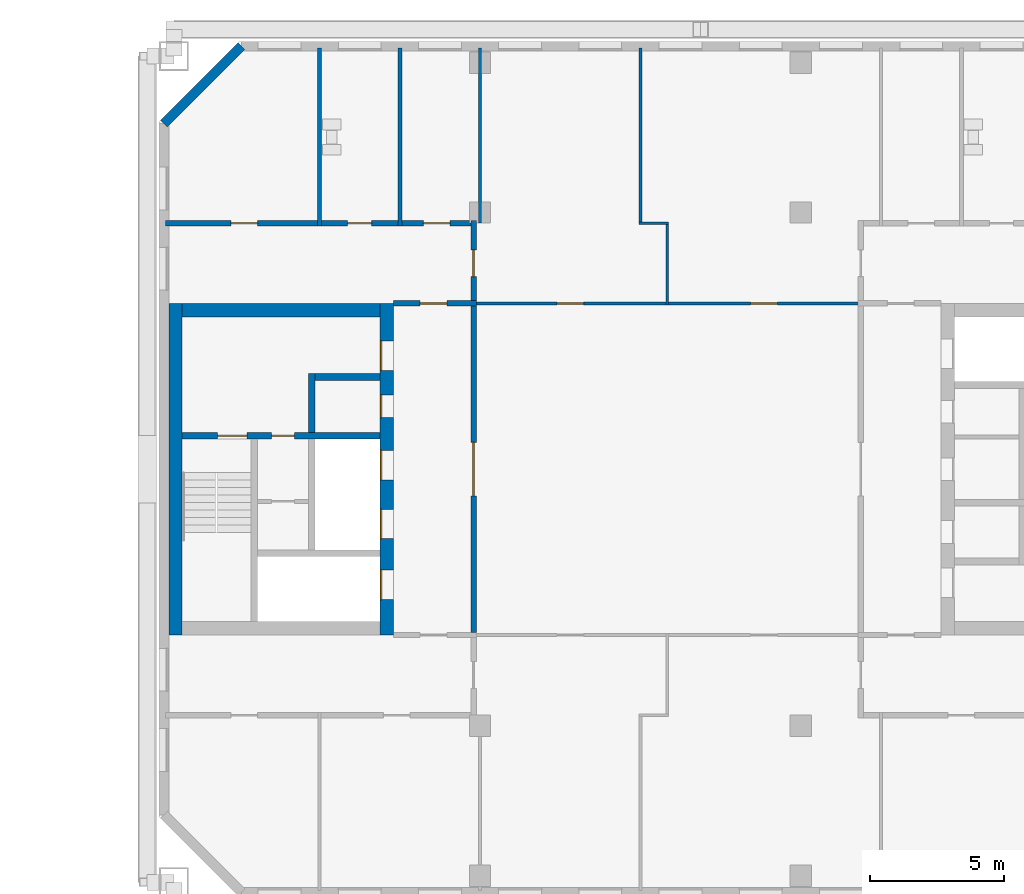
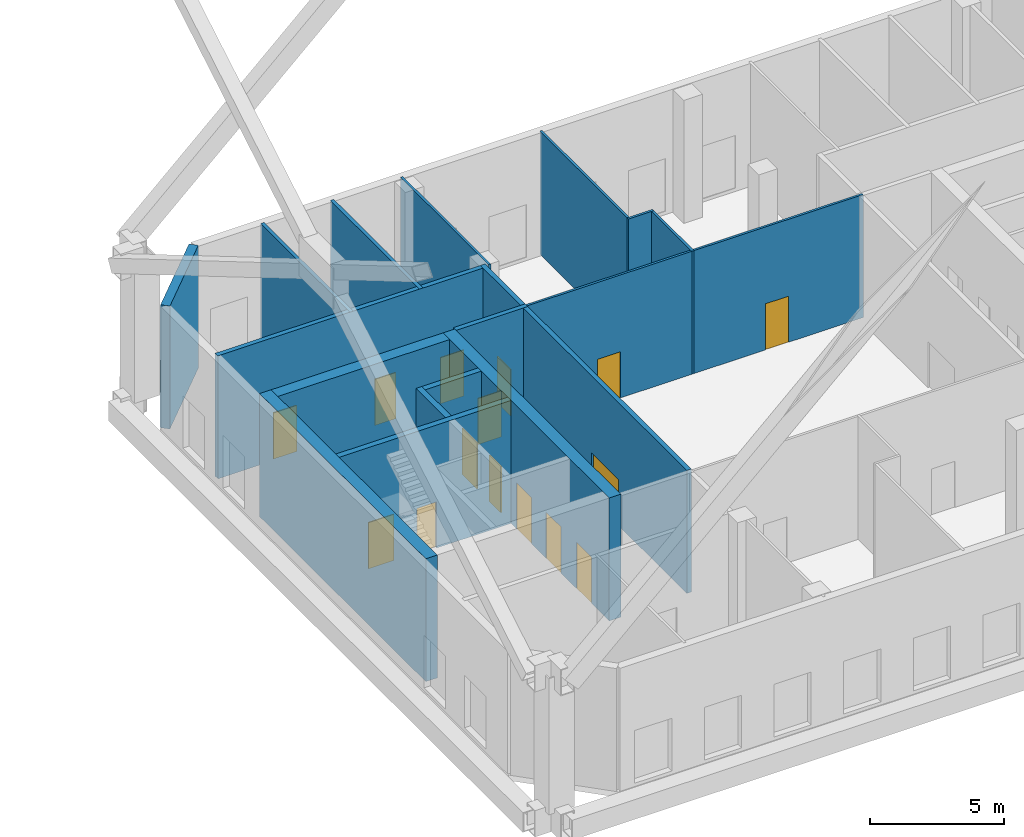
# One storey, part 14 of 20: 18 walls, 15 doors, 15 openings.
"""IFC4 building model written with IfcOpenShell, lengths in metres."""

from ifc_helpers import new_model, si_unit, direction, frame, frame_2d, origin, place, context, subcontext, project, spatial, rectangle, extrude, material, layer, layer_set, type_object, element, fill, save


model = new_model("IFC4")

# Units and contexts
model_context = context("Model", 3, precision=1e-05, world=origin(), true_north=direction((0.0, 1.0)))
body_context = subcontext(model_context, "Body", "Model", "MODEL_VIEW")
ifc_project = project(units=[si_unit("LENGTHUNIT", "METRE"), si_unit("AREAUNIT", "SQUARE_METRE"), si_unit("VOLUMEUNIT", "CUBIC_METRE"), si_unit("PLANEANGLEUNIT", "RADIAN"), si_unit("MASSUNIT", "GRAM", prefix="KILO")], contexts=[model_context])

# Site, building, storey
site_placement = place(None, origin())
site = spatial("IfcSite", under=ifc_project, at=site_placement, CompositionType="ELEMENT")
building_placement = place(site_placement, origin())
building = spatial("IfcBuilding", under=site, at=building_placement, Name="Tuart Gate Housing", CompositionType="ELEMENT")
storey_placement = place(building_placement, frame((0.0, 0.0, 142.300048828125)))
storey = spatial("IfcBuildingStorey", under=building, at=storey_placement, Name="L40", CompositionType="ELEMENT", Elevation=142.300048828125)

# Walls
ifc_material_1 = material(Name="Gypsum board on steel studs", Category="steel")
ifc_layer_1 = layer(ifc_material_1, 0.14990234375)
ifc_layer_set_1 = layer_set([ifc_layer_1], Name="Bathroom wall 150")
wall_type_1 = type_object("IfcWallType", Name="Bathroom wall 150", PredefinedType="PLUMBINGWALL", material=ifc_layer_set_1)
for number, where, z_axis, x_axis, name in (
    (1, (137.0, 79.10009765625, 0.0), (0.0, 0.0, 1.0), (0.0, 1.0, 0.0), "Bathroom wall 150"),
    (2, (140.0, 79.10009765625, 0.0), (0.0, 0.0, 1.0), (0.0, 1.0, 0.0), "Bathroom wall 150"),
):
    element("IfcWall", number, at=place(storey_placement, frame(where, z_axis=z_axis, x_axis=x_axis)), inside=storey, type_object=wall_type_1, Name=name, PredefinedType="PLUMBINGWALL", context=body_context, shape_type="SweptSolid", body=[
        extrude(rectangle(XDim=6.659912109375, YDim=0.14990234375, at=frame_2d((3.330078125, 0.0))), origin(), (0.0, 0.0, 1.0), 5.599853515625),
    ])
ifc_material_2 = material(Name="Brick", Category="masonry")
ifc_layer_2 = layer(ifc_material_2, 0.360107421875)
ifc_layer_set_2 = layer_set([ifc_layer_2], Name="Brick pier and spandrel wall 360")
wall_type_2 = type_object("IfcWallType", Name="Brick pier and spandrel wall 360", PredefinedType="STANDARD", material=ifc_layer_set_2)
wall_1_placement = place(storey_placement, frame((134.07470703125, 85.820068359375, 0.0), z_axis=(0.0, 0.0, 1.0), x_axis=(-0.707106781187, -0.707106781187, 0.0)))
element("IfcWall", 3, at=wall_1_placement, inside=storey, type_object=wall_type_2, Name="External wall B-NW L40", PredefinedType="STANDARD", context=body_context, shape_type="SweptSolid", body=[
    extrude(rectangle(XDim=4.09375, YDim=0.360107421875, at=frame_2d((2.046875, 0.0))), origin(), (0.0, 0.0, 1.0), 5.599853515625),
])

# Wall, openings, doors
ifc_material_3 = material(Name="Concrete C40", Category="concrete")
ifc_layer_3 = layer(ifc_material_3, 0.25)
ifc_layer_set_3 = layer_set([ifc_layer_3], Name="Core wall 250 C40")
wall_type_3 = type_object("IfcWallType", Name="Core wall 250 C40", PredefinedType="SHEAR", material=ifc_layer_set_3)
wall_2_placement = place(storey_placement, frame((139.260009765625, 71.25, 0.0), z_axis=(0.0, 0.0, 1.0), x_axis=(-1.0, 0.0, 0.0)))
wall_2 = element("IfcWall", 4, at=wall_2_placement, inside=storey, type_object=wall_type_3, Name="Core wall BG.3", PredefinedType="SHEAR", context=body_context, shape_type="SweptSolid", body=[
    extrude(rectangle(XDim=7.39990234375, YDim=0.25, at=frame_2d((3.699951171875, 0.0))), origin(), (0.0, 0.0, 1.0), 5.599853515625),
])
opening_1_placement = place(wall_2_placement, frame((4.97509765625, 0.0, 0.0)))
opening_1 = element("IfcOpeningElement", 5, at=opening_1_placement, cuts=wall_2, Name="Opening D2978", PredefinedType="OPENING", context=body_context, shape_type="SweptSolid", body=[
    extrude(rectangle(XDim=1.10009765625, YDim=2.10009765625, at=frame_2d((0.550048828125, 1.050048828125))), frame((0.0, 0.135009765625, 0.0), z_axis=(0.0, -1.0, 0.0), x_axis=(1.0, 0.0, 0.0)), (0.0, 0.0, 1.0), 0.27001953125),
])
opening_2_placement = place(wall_2_placement, frame((3.199951171875, 0.0, 0.0)))
opening_2 = element("IfcOpeningElement", 6, at=opening_2_placement, cuts=wall_2, Name="Opening D2977", PredefinedType="OPENING", context=body_context, shape_type="SweptSolid", body=[
    extrude(rectangle(XDim=0.85009765625, YDim=2.10009765625, at=frame_2d((0.425048828125, 1.050048828125))), frame((0.0, 0.135009765625, 0.0), z_axis=(0.0, -1.0, 0.0), x_axis=(1.0, 0.0, 0.0)), (0.0, 0.0, 1.0), 0.27001953125),
])
ifc_material_4 = material(Name="Steel fire door", Category="steel")
door_type_1 = type_object("IfcDoorType", Name="Riser door 850 x 2100", OperationType="SINGLE_SWING_LEFT", PredefinedType="DOOR", material=ifc_material_4)
door_1_placement = place(opening_2_placement, origin())
door_1 = element("IfcDoor", 7, at=door_1_placement, inside=storey, type_object=door_type_1, Name="Service room door BG.W1", OperationType="SINGLE_SWING_LEFT", OverallHeight=2.10009765625, OverallWidth=0.85009765625, PredefinedType="DOOR", context=body_context, shape_type="SweptSolid", body=[
    extrude(rectangle(XDim=0.85009765625, YDim=2.10009765625, at=frame_2d((0.425048828125, 1.050048828125))), frame((0.0, 0.02490234375, 0.0), z_axis=(0.0, -1.0, 0.0), x_axis=(1.0, 0.0, 0.0)), (0.0, 0.0, 1.0), 0.050048828125),
])
fill(opening_2, door_1)
ifc_material_5 = material(Name="Steel fire door", Category="steel")
door_type_2 = type_object("IfcDoorType", Name="Stair door 1100 x 2100", OperationType="SINGLE_SWING_LEFT", PredefinedType="DOOR", material=ifc_material_5)
door_2_placement = place(opening_1_placement, origin())
door_2 = element("IfcDoor", 8, at=door_2_placement, inside=storey, type_object=door_type_2, Name="Stair door BG.SD", OperationType="SINGLE_SWING_LEFT", OverallHeight=2.10009765625, OverallWidth=1.10009765625, PredefinedType="DOOR", context=body_context, shape_type="SweptSolid", body=[
    extrude(rectangle(XDim=1.10009765625, YDim=2.10009765625, at=frame_2d((0.550048828125, 1.050048828125))), frame((0.0, 0.02490234375, 0.0), z_axis=(0.0, -1.0, 0.0), x_axis=(1.0, 0.0, 0.0)), (0.0, 0.0, 1.0), 0.050048828125),
])
fill(opening_1, door_2)

# Walls
wall_3_placement = place(storey_placement, frame((139.260009765625, 73.449951171875, 0.0), z_axis=(0.0, 0.0, 1.0), x_axis=(-1.0, 0.0, 0.0)))
element("IfcWall", 9, at=wall_3_placement, inside=storey, type_object=wall_type_3, Name="Core wall BG.4", PredefinedType="SHEAR", context=body_context, shape_type="SweptSolid", body=[
    extrude(rectangle(XDim=2.425048828125, YDim=0.25, at=frame_2d((1.21240234375, 0.0))), origin(), (0.0, 0.0, 1.0), 5.599853515625),
])
wall_4_placement = place(storey_placement, frame((136.7099609375, 71.375, 0.0), z_axis=(0.0, 0.0, 1.0), x_axis=(0.0, 1.0, 0.0)))
element("IfcWall", 10, at=wall_4_placement, inside=storey, type_object=wall_type_3, Name="Core wall BG.6", PredefinedType="SHEAR", context=body_context, shape_type="SweptSolid", body=[
    extrude(rectangle(XDim=2.199951171875, YDim=0.25, at=frame_2d((1.10009765625, 0.0))), origin(), (0.0, 0.0, 1.0), 5.599853515625),
])

# Wall, openings, doors
ifc_material_6 = material(Name="Concrete C40", Category="concrete")
ifc_layer_4 = layer(ifc_material_6, 0.5)
ifc_layer_set_4 = layer_set([ifc_layer_4], Name="Core wall 500 C40")
wall_type_4 = type_object("IfcWallType", Name="Core wall 500 C40", PredefinedType="SHEAR", material=ifc_layer_set_4)
wall_5_placement = place(storey_placement, frame((139.510009765625, 63.800048828125, 0.0), z_axis=(0.0, 0.0, 1.0), x_axis=(0.0, 1.0, 0.0)))
wall_5 = element("IfcWall", 11, at=wall_5_placement, inside=storey, type_object=wall_type_4, Name="Core wall BG front", PredefinedType="SHEAR", context=body_context, shape_type="SweptSolid", body=[
    extrude(rectangle(XDim=12.39990234375, YDim=0.5, at=frame_2d((6.199951171875, 0.0))), origin(), (0.0, 0.0, 1.0), 5.599853515625),
])
opening_3_placement = place(wall_5_placement, frame((1.324951171875, 0.0, 0.0)))
opening_3 = element("IfcOpeningElement", 12, at=opening_3_placement, cuts=wall_5, Name="Opening LD-FB1", PredefinedType="OPENING", context=body_context, shape_type="SweptSolid", body=[
    extrude(rectangle(XDim=1.10009765625, YDim=2.10009765625, at=frame_2d((0.550048828125, 1.050048828125))), frame((0.0, 0.260009765625, 0.0), z_axis=(0.0, -1.0, 0.0), x_axis=(1.0, 0.0, 0.0)), (0.0, 0.0, 1.0), 0.52001953125),
])
opening_4_placement = place(wall_5_placement, frame((3.60009765625, 0.0, 0.0)))
opening_4 = element("IfcOpeningElement", 13, at=opening_4_placement, cuts=wall_5, Name="Opening LD-LB1", PredefinedType="OPENING", context=body_context, shape_type="SweptSolid", body=[
    extrude(rectangle(XDim=1.10009765625, YDim=2.10009765625, at=frame_2d((0.550048828125, 1.050048828125))), frame((0.0, 0.260009765625, 0.0), z_axis=(0.0, -1.0, 0.0), x_axis=(1.0, 0.0, 0.0)), (0.0, 0.0, 1.0), 0.52001953125),
])
opening_5_placement = place(wall_5_placement, frame((5.800048828125, 0.0, 0.0)))
opening_5 = element("IfcOpeningElement", 14, at=opening_5_placement, cuts=wall_5, Name="Opening LD-LB2", PredefinedType="OPENING", context=body_context, shape_type="SweptSolid", body=[
    extrude(rectangle(XDim=1.10009765625, YDim=2.10009765625, at=frame_2d((0.550048828125, 1.050048828125))), frame((0.0, 0.260009765625, 0.0), z_axis=(0.0, -1.0, 0.0), x_axis=(1.0, 0.0, 0.0)), (0.0, 0.0, 1.0), 0.52001953125),
])
opening_6_placement = place(wall_5_placement, frame((9.89990234375, 0.0, 0.0)))
opening_6 = element("IfcOpeningElement", 15, at=opening_6_placement, cuts=wall_5, Name="Opening D2979", PredefinedType="OPENING", context=body_context, shape_type="SweptSolid", body=[
    extrude(rectangle(XDim=1.10009765625, YDim=2.10009765625, at=frame_2d((0.550048828125, 1.050048828125))), frame((0.0, 0.260009765625, 0.0), z_axis=(0.0, -1.0, 0.0), x_axis=(1.0, 0.0, 0.0)), (0.0, 0.0, 1.0), 0.52001953125),
])
opening_7_placement = place(wall_5_placement, frame((8.125, 0.0, 0.0)))
opening_7 = element("IfcOpeningElement", 16, at=opening_7_placement, cuts=wall_5, Name="Opening D2980", PredefinedType="OPENING", context=body_context, shape_type="SweptSolid", body=[
    extrude(rectangle(XDim=0.85009765625, YDim=2.10009765625, at=frame_2d((0.425048828125, 1.050048828125))), frame((0.0, 0.260009765625, 0.0), z_axis=(0.0, -1.0, 0.0), x_axis=(1.0, 0.0, 0.0)), (0.0, 0.0, 1.0), 0.52001953125),
])
ifc_material_7 = material(Name="Stainless steel", Category="steel")
door_type_3 = type_object("IfcDoorType", Name="Landing door 1100 x 2100", OperationType="DOUBLE_DOOR_SLIDING", PredefinedType="DOOR", material=ifc_material_7)
door_3_placement = place(opening_3_placement, origin())
door_3 = element("IfcDoor", 17, at=door_3_placement, inside=storey, type_object=door_type_3, Name="Lift landing door FB1", OperationType="DOUBLE_DOOR_SLIDING", OverallHeight=2.10009765625, OverallWidth=1.10009765625, PredefinedType="DOOR", context=body_context, shape_type="SweptSolid", body=[
    extrude(rectangle(XDim=1.10009765625, YDim=2.10009765625, at=frame_2d((0.550048828125, 1.050048828125))), frame((0.0, 0.23486328125, 0.0), z_axis=(0.0, -1.0, 0.0), x_axis=(1.0, 0.0, 0.0)), (0.0, 0.0, 1.0), 0.050048828125),
])
fill(opening_3, door_3)
door_4_placement = place(opening_4_placement, origin())
door_4 = element("IfcDoor", 18, at=door_4_placement, inside=storey, type_object=door_type_3, Name="Lift landing door LB1", OperationType="DOUBLE_DOOR_SLIDING", OverallHeight=2.10009765625, OverallWidth=1.10009765625, PredefinedType="DOOR", context=body_context, shape_type="SweptSolid", body=[
    extrude(rectangle(XDim=1.10009765625, YDim=2.10009765625, at=frame_2d((0.550048828125, 1.050048828125))), frame((0.0, 0.23486328125, 0.0), z_axis=(0.0, -1.0, 0.0), x_axis=(1.0, 0.0, 0.0)), (0.0, 0.0, 1.0), 0.050048828125),
])
fill(opening_4, door_4)
door_5_placement = place(opening_5_placement, origin())
door_5 = element("IfcDoor", 19, at=door_5_placement, inside=storey, type_object=door_type_3, Name="Lift landing door LB2", OperationType="DOUBLE_DOOR_SLIDING", OverallHeight=2.10009765625, OverallWidth=1.10009765625, PredefinedType="DOOR", context=body_context, shape_type="SweptSolid", body=[
    extrude(rectangle(XDim=1.10009765625, YDim=2.10009765625, at=frame_2d((0.550048828125, 1.050048828125))), frame((0.0, 0.23486328125, 0.0), z_axis=(0.0, -1.0, 0.0), x_axis=(1.0, 0.0, 0.0)), (0.0, 0.0, 1.0), 0.050048828125),
])
fill(opening_5, door_5)
ifc_material_8 = material(Name="Steel fire door", Category="steel")
door_type_4 = type_object("IfcDoorType", Name="Lobby door 1100 x 2100", OperationType="SINGLE_SWING_LEFT", PredefinedType="DOOR", material=ifc_material_8)
door_6_placement = place(opening_6_placement, origin())
door_6 = element("IfcDoor", 20, at=door_6_placement, inside=storey, type_object=door_type_4, Name="Lobby entry door BG.EN", OperationType="SINGLE_SWING_LEFT", OverallHeight=2.10009765625, OverallWidth=1.10009765625, PredefinedType="DOOR", context=body_context, shape_type="SweptSolid", body=[
    extrude(rectangle(XDim=1.10009765625, YDim=2.10009765625, at=frame_2d((0.550048828125, 1.050048828125))), frame((0.0, 0.23486328125, 0.0), z_axis=(0.0, -1.0, 0.0), x_axis=(1.0, 0.0, 0.0)), (0.0, 0.0, 1.0), 0.050048828125),
])
fill(opening_6, door_6)
ifc_material_9 = material(Name="Steel fire door", Category="steel")
door_type_5 = type_object("IfcDoorType", Name="Service door 850 x 2100", OperationType="SINGLE_SWING_LEFT", PredefinedType="DOOR", material=ifc_material_9)
door_7_placement = place(opening_7_placement, origin())
door_7 = element("IfcDoor", 21, at=door_7_placement, inside=storey, type_object=door_type_5, Name="Service room door BG.T1", OperationType="SINGLE_SWING_LEFT", OverallHeight=2.10009765625, OverallWidth=0.85009765625, PredefinedType="DOOR", context=body_context, shape_type="SweptSolid", body=[
    extrude(rectangle(XDim=0.85009765625, YDim=2.10009765625, at=frame_2d((0.425048828125, 1.050048828125))), frame((0.0, 0.23486328125, 0.0), z_axis=(0.0, -1.0, 0.0), x_axis=(1.0, 0.0, 0.0)), (0.0, 0.0, 1.0), 0.050048828125),
])
fill(opening_7, door_7)

# Walls
wall_6_placement = place(storey_placement, frame((131.610107421875, 63.800048828125, 0.0), z_axis=(0.0, 0.0, 1.0), x_axis=(0.0, 1.0, 0.0)))
element("IfcWall", 22, at=wall_6_placement, inside=storey, type_object=wall_type_4, Name="Core wall BG back", PredefinedType="SHEAR", context=body_context, shape_type="SweptSolid", body=[
    extrude(rectangle(XDim=12.39990234375, YDim=0.5, at=frame_2d((6.199951171875, 0.0))), origin(), (0.0, 0.0, 1.0), 5.599853515625),
])
wall_7_placement = place(storey_placement, frame((139.260009765625, 75.949951171875, 0.0), z_axis=(0.0, 0.0, 1.0), x_axis=(-1.0, 0.0, 0.0)))
element("IfcWall", 23, at=wall_7_placement, inside=storey, type_object=wall_type_4, Name="Core wall BG north", PredefinedType="SHEAR", context=body_context, shape_type="SweptSolid", body=[
    extrude(rectangle(XDim=7.39990234375, YDim=0.5, at=frame_2d((3.699951171875, 0.0))), origin(), (0.0, 0.0, 1.0), 5.599853515625),
])

# Wall, openings, doors
ifc_material_10 = material(Name="Concrete masonry 15 MPa", Category="masonry")
ifc_layer_5 = layer(ifc_material_10, 0.199951171875)
ifc_layer_set_5 = layer_set([ifc_layer_5], Name="Corridor wall masonry 200")
wall_type_5 = type_object("IfcWallType", Name="Corridor wall masonry 200", PredefinedType="PARTITIONING", material=ifc_layer_set_5)
wall_8_placement = place(storey_placement, frame((131.239990234375, 79.199951171875, 0.0), z_axis=(0.0, 0.0, 1.0), x_axis=(1.0, 0.0, 0.0)))
wall_8 = element("IfcWall", 24, at=wall_8_placement, inside=storey, type_object=wall_type_5, Name="Corridor wall masonry 200", PredefinedType="PARTITIONING", context=body_context, shape_type="SweptSolid", body=[
    extrude(rectangle(XDim=11.6220703125, YDim=0.199951171875, at=frame_2d((5.81103515625, 0.0))), origin(), (0.0, 0.0, 1.0), 5.599853515625),
])
opening_8_placement = place(wall_8_placement, frame((2.43994140625, 0.0, 0.0)))
opening_8 = element("IfcOpeningElement", 25, at=opening_8_placement, cuts=wall_8, Name="Opening D2963", PredefinedType="OPENING", context=body_context, shape_type="SweptSolid", body=[
    extrude(rectangle(XDim=1.0, YDim=2.10009765625, at=frame_2d((0.5, 1.050048828125))), frame((0.0, 0.10986328125, 0.0), z_axis=(0.0, -1.0, 0.0), x_axis=(1.0, 0.0, 0.0)), (0.0, 0.0, 1.0), 0.219970703125),
])
opening_9_placement = place(wall_8_placement, frame((6.81005859375, 0.0, 0.0)))
opening_9 = element("IfcOpeningElement", 26, at=opening_9_placement, cuts=wall_8, Name="Opening D2965", PredefinedType="OPENING", context=body_context, shape_type="SweptSolid", body=[
    extrude(rectangle(XDim=0.89990234375, YDim=2.10009765625, at=frame_2d((0.449951171875, 1.050048828125))), frame((0.0, 0.10986328125, 0.0), z_axis=(0.0, -1.0, 0.0), x_axis=(1.0, 0.0, 0.0)), (0.0, 0.0, 1.0), 0.219970703125),
])
opening_10_placement = place(wall_8_placement, frame((9.64111328125, 0.0, 0.0)))
opening_10 = element("IfcOpeningElement", 27, at=opening_10_placement, cuts=wall_8, Name="Opening D2964", PredefinedType="OPENING", context=body_context, shape_type="SweptSolid", body=[
    extrude(rectangle(XDim=1.0, YDim=2.10009765625, at=frame_2d((0.5, 1.050048828125))), frame((0.0, 0.10986328125, 0.0), z_axis=(0.0, -1.0, 0.0), x_axis=(1.0, 0.0, 0.0)), (0.0, 0.0, 1.0), 0.219970703125),
])
ifc_material_11 = material(Name="Timber door leaf in steel frame", Category="steel")
door_type_6 = type_object("IfcDoorType", Name="Fire door 1000", OperationType="SINGLE_SWING_LEFT", PredefinedType="DOOR", material=ifc_material_11)
door_8_placement = place(opening_8_placement, origin())
door_8 = element("IfcDoor", 28, at=door_8_placement, inside=storey, type_object=door_type_6, Name="Fire door 1000", OperationType="SINGLE_SWING_LEFT", OverallHeight=2.10009765625, OverallWidth=1.0, PredefinedType="DOOR", context=body_context, shape_type="SweptSolid", body=[
    extrude(rectangle(XDim=1.0, YDim=2.10009765625, at=frame_2d((0.5, 1.050048828125))), frame((0.0, 0.02490234375, 0.0), z_axis=(0.0, -1.0, 0.0), x_axis=(1.0, 0.0, 0.0)), (0.0, 0.0, 1.0), 0.050048828125),
])
fill(opening_8, door_8)
door_9_placement = place(opening_10_placement, origin())
door_9 = element("IfcDoor", 29, at=door_9_placement, inside=storey, type_object=door_type_6, Name="Fire door 1000", OperationType="SINGLE_SWING_LEFT", OverallHeight=2.10009765625, OverallWidth=1.0, PredefinedType="DOOR", context=body_context, shape_type="SweptSolid", body=[
    extrude(rectangle(XDim=1.0, YDim=2.10009765625, at=frame_2d((0.5, 1.050048828125))), frame((0.0, 0.02490234375, 0.0), z_axis=(0.0, -1.0, 0.0), x_axis=(1.0, 0.0, 0.0)), (0.0, 0.0, 1.0), 0.050048828125),
])
fill(opening_10, door_9)
ifc_material_12 = material(Name="Timber door leaf in steel frame", Category="steel")
door_type_7 = type_object("IfcDoorType", Name="Fire door 900", OperationType="SINGLE_SWING_LEFT", PredefinedType="DOOR", material=ifc_material_12)
door_10_placement = place(opening_9_placement, origin())
door_10 = element("IfcDoor", 30, at=door_10_placement, inside=storey, type_object=door_type_7, Name="Fire door 900", OperationType="SINGLE_SWING_LEFT", OverallHeight=2.10009765625, OverallWidth=0.89990234375, PredefinedType="DOOR", context=body_context, shape_type="SweptSolid", body=[
    extrude(rectangle(XDim=0.89990234375, YDim=2.10009765625, at=frame_2d((0.449951171875, 1.050048828125))), frame((0.0, 0.02490234375, 0.0), z_axis=(0.0, -1.0, 0.0), x_axis=(1.0, 0.0, 0.0)), (0.0, 0.0, 1.0), 0.050048828125),
])
fill(opening_9, door_10)

# Wall, opening, door
wall_9_placement = place(storey_placement, frame((142.760009765625, 76.10009765625, 0.0), z_axis=(0.0, 0.0, 1.0), x_axis=(0.0, 1.0, 0.0)))
wall_9 = element("IfcWall", 31, at=wall_9_placement, inside=storey, type_object=wall_type_5, Name="Corridor wall masonry 200", PredefinedType="PARTITIONING", context=body_context, shape_type="SweptSolid", body=[
    extrude(rectangle(XDim=3.199951171875, YDim=0.199951171875, at=frame_2d((1.60009765625, 0.0))), origin(), (0.0, 0.0, 1.0), 5.599853515625),
])
opening_11_placement = place(wall_9_placement, frame((1.10009765625, 0.0, 0.0)))
opening_11 = element("IfcOpeningElement", 32, at=opening_11_placement, cuts=wall_9, Name="Opening D2970", PredefinedType="OPENING", context=body_context, shape_type="SweptSolid", body=[
    extrude(rectangle(XDim=1.0, YDim=2.10009765625, at=frame_2d((0.5, 1.050048828125))), frame((0.0, 0.10986328125, 0.0), z_axis=(0.0, -1.0, 0.0), x_axis=(1.0, 0.0, 0.0)), (0.0, 0.0, 1.0), 0.219970703125),
])
ifc_material_13 = material(Name="Timber door leaf in steel frame", Category="steel")
door_type_8 = type_object("IfcDoorType", Name="Fire door 1000 RH", OperationType="SINGLE_SWING_RIGHT", PredefinedType="DOOR", material=ifc_material_13)
door_11_placement = place(opening_11_placement, frame((1.0, 0.0, 0.0), z_axis=(0.0, 0.0, 1.0), x_axis=(-1.0, 0.0, 0.0)))
door_11 = element("IfcDoor", 33, at=door_11_placement, inside=storey, type_object=door_type_8, Name="Fire door 1000", OperationType="SINGLE_SWING_RIGHT", OverallHeight=2.10009765625, OverallWidth=1.0, PredefinedType="DOOR", context=body_context, shape_type="SweptSolid", body=[
    extrude(rectangle(XDim=1.0, YDim=2.10009765625, at=frame_2d((0.5, 1.050048828125))), frame((0.0, 0.025146484375, 0.0), z_axis=(0.0, -1.0, 0.0), x_axis=(1.0, 0.0, 0.0)), (0.0, 0.0, 1.0), 0.050048828125),
])
fill(opening_11, door_11)

ifc_material_14 = material(Name="Concrete masonry 15 MPa", Category="masonry")
ifc_layer_6 = layer(ifc_material_14, 0.199951171875)
ifc_layer_set_6 = layer_set([ifc_layer_6], Name="Enclosure wall masonry 200")
wall_type_6 = type_object("IfcWallType", Name="Enclosure wall masonry 200", PredefinedType="PARTITIONING", material=ifc_layer_set_6)
wall_10_placement = place(storey_placement, frame((139.760009765625, 76.199951171875, 0.0), z_axis=(0.0, 0.0, 1.0), x_axis=(1.0, 0.0, 0.0)))
wall_10 = element("IfcWall", 34, at=wall_10_placement, inside=storey, type_object=wall_type_6, Name="Enclosure wall masonry 200", PredefinedType="PARTITIONING", context=body_context, shape_type="SweptSolid", body=[
    extrude(rectangle(XDim=3.10009765625, YDim=0.199951171875, at=frame_2d((1.550048828125, 0.0))), origin(), (0.0, 0.0, 1.0), 5.599853515625),
])
opening_12_placement = place(wall_10_placement, frame((1.0, 0.0, 0.0)))
opening_12 = element("IfcOpeningElement", 35, at=opening_12_placement, cuts=wall_10, Name="Opening D2972", PredefinedType="OPENING", context=body_context, shape_type="SweptSolid", body=[
    extrude(rectangle(XDim=1.0, YDim=2.10009765625, at=frame_2d((0.5, 1.050048828125))), frame((0.0, 0.10986328125, 0.0), z_axis=(0.0, -1.0, 0.0), x_axis=(1.0, 0.0, 0.0)), (0.0, 0.0, 1.0), 0.219970703125),
])
ifc_material_15 = material(Name="Timber door leaf in steel frame", Category="steel")
door_type_9 = type_object("IfcDoorType", Name="Lobby door 1000", OperationType="SINGLE_SWING_LEFT", PredefinedType="DOOR", material=ifc_material_15)
door_12_placement = place(opening_12_placement, frame((1.0, 0.0, 0.0), z_axis=(0.0, 0.0, 1.0), x_axis=(-1.0, 0.0, 0.0)))
door_12 = element("IfcDoor", 36, at=door_12_placement, inside=storey, type_object=door_type_9, Name="Lobby door 1000", OperationType="SINGLE_SWING_LEFT", OverallHeight=2.10009765625, OverallWidth=1.0, PredefinedType="DOOR", context=body_context, shape_type="SweptSolid", body=[
    extrude(rectangle(XDim=1.0, YDim=2.10009765625, at=frame_2d((0.5, 1.050048828125))), frame((0.0, 0.025146484375, 0.0), z_axis=(0.0, -1.0, 0.0), x_axis=(1.0, 0.0, 0.0)), (0.0, 0.0, 1.0), 0.050048828125),
])
fill(opening_12, door_12)

ifc_material_16 = material(Name="Plasterboard partition")
ifc_layer_7 = layer(ifc_material_16, 0.199951171875)
ifc_layer_set_7 = layer_set([ifc_layer_7], Name="Lobby wall 200")
wall_type_7 = type_object("IfcWallType", Name="Lobby wall 200", PredefinedType="PARTITIONING", material=ifc_layer_set_7)
wall_11_placement = place(storey_placement, frame((142.760009765625, 63.89990234375, 0.0), z_axis=(0.0, 0.0, 1.0), x_axis=(0.0, 1.0, 0.0)))
wall_11 = element("IfcWall", 37, at=wall_11_placement, inside=storey, type_object=wall_type_7, Name="Lift lobby wall BG", PredefinedType="PARTITIONING", context=body_context, shape_type="SweptSolid", body=[
    extrude(rectangle(XDim=12.2001953125, YDim=0.199951171875, at=frame_2d((6.10009765625, 0.0))), origin(), (0.0, 0.0, 1.0), 5.599853515625),
])
opening_13_placement = place(wall_11_placement, frame((5.10009765625, 0.0, 0.0)))
opening_13 = element("IfcOpeningElement", 38, at=opening_13_placement, cuts=wall_11, Name="Opening D2981", PredefinedType="OPENING", context=body_context, shape_type="SweptSolid", body=[
    extrude(rectangle(XDim=2.0, YDim=2.10009765625, at=frame_2d((1.0, 1.050048828125))), frame((0.0, 0.10986328125, 0.0), z_axis=(0.0, -1.0, 0.0), x_axis=(1.0, 0.0, 0.0)), (0.0, 0.0, 1.0), 0.219970703125),
])
ifc_material_17 = material(Name="Steel fire door", Category="steel")
door_type_10 = type_object("IfcDoorType", Name="Smoke door 2000 x 2100", OperationType="DOUBLE_DOOR_SINGLE_SWING", PredefinedType="DOOR", material=ifc_material_17)
door_13_placement = place(opening_13_placement, frame((2.0, 0.0, 0.0), z_axis=(0.0, 0.0, 1.0), x_axis=(-1.0, 0.0, 0.0)))
door_13 = element("IfcDoor", 39, at=door_13_placement, inside=storey, type_object=door_type_10, Name="Lift lobby smoke door BG", OperationType="DOUBLE_DOOR_SINGLE_SWING", OverallHeight=2.10009765625, OverallWidth=2.0, PredefinedType="DOOR", context=body_context, shape_type="SweptSolid", body=[
    extrude(rectangle(XDim=2.0, YDim=2.10009765625, at=frame_2d((1.0, 1.050048828125))), frame((0.0, 0.025146484375, 0.0), z_axis=(0.0, -1.0, 0.0), x_axis=(1.0, 0.0, 0.0)), (0.0, 0.0, 1.0), 0.050048828125),
])
fill(opening_13, door_13)

# Wall, openings, doors
ifc_material_18 = material(Name="Gypsum board on steel studs", Category="steel")
ifc_layer_8 = layer(ifc_material_18, 0.10009765625)
ifc_layer_set_8 = layer_set([ifc_layer_8], Name="Partition 100")
wall_type_8 = type_object("IfcWallType", Name="Partition 100", PredefinedType="PARTITIONING", material=ifc_layer_set_8)
wall_12_placement = place(storey_placement, frame((142.659912109375, 76.199951171875, 0.0), z_axis=(0.0, 0.0, 1.0), x_axis=(1.0, 0.0, 0.0)))
wall_12 = element("IfcWall", 40, at=wall_12_placement, inside=storey, type_object=wall_type_8, Name="Partition 100", PredefinedType="PARTITIONING", context=body_context, shape_type="SweptSolid", body=[
    extrude(rectangle(XDim=14.68017578125, YDim=0.10009765625, at=frame_2d((7.340087890625, 0.0))), origin(), (0.0, 0.0, 1.0), 5.599853515625),
])
opening_14_placement = place(wall_12_placement, frame((3.219970703125, 0.0, 0.0)))
opening_14 = element("IfcOpeningElement", 41, at=opening_14_placement, cuts=wall_12, Name="Opening D2973", PredefinedType="OPENING", context=body_context, shape_type="SweptSolid", body=[
    extrude(rectangle(XDim=1.0, YDim=2.10009765625, at=frame_2d((0.5, 1.050048828125))), frame((0.0, 0.06005859375, 0.0), z_axis=(0.0, -1.0, 0.0), x_axis=(1.0, 0.0, 0.0)), (0.0, 0.0, 1.0), 0.1201171875),
])
opening_15_placement = place(wall_12_placement, frame((10.4599609375, 0.0, 0.0)))
opening_15 = element("IfcOpeningElement", 42, at=opening_15_placement, cuts=wall_12, Name="Opening D2974", PredefinedType="OPENING", context=body_context, shape_type="SweptSolid", body=[
    extrude(rectangle(XDim=1.0, YDim=2.10009765625, at=frame_2d((0.5, 1.050048828125))), frame((0.0, 0.06005859375, 0.0), z_axis=(0.0, -1.0, 0.0), x_axis=(1.0, 0.0, 0.0)), (0.0, 0.0, 1.0), 0.1201171875),
])
ifc_material_19 = material(Name="Timber door leaf in steel frame", Category="steel")
door_type_11 = type_object("IfcDoorType", Name="Internal door 1000", OperationType="SINGLE_SWING_LEFT", PredefinedType="DOOR", material=ifc_material_19)
door_14_placement = place(opening_14_placement, origin())
door_14 = element("IfcDoor", 43, at=door_14_placement, inside=storey, type_object=door_type_11, Name="Internal door 1000", OperationType="SINGLE_SWING_LEFT", OverallHeight=2.10009765625, OverallWidth=1.0, PredefinedType="DOOR", context=body_context, shape_type="SweptSolid", body=[
    extrude(rectangle(XDim=1.0, YDim=2.10009765625, at=frame_2d((0.5, 1.050048828125))), frame((0.0, 0.02490234375, 0.0), z_axis=(0.0, -1.0, 0.0), x_axis=(1.0, 0.0, 0.0)), (0.0, 0.0, 1.0), 0.050048828125),
])
fill(opening_14, door_14)
door_15_placement = place(opening_15_placement, frame((1.0, 0.0, 0.0), z_axis=(0.0, 0.0, 1.0), x_axis=(-1.0, 0.0, 0.0)))
door_15 = element("IfcDoor", 44, at=door_15_placement, inside=storey, type_object=door_type_11, Name="Internal door 1000", OperationType="SINGLE_SWING_LEFT", OverallHeight=2.10009765625, OverallWidth=1.0, PredefinedType="DOOR", context=body_context, shape_type="SweptSolid", body=[
    extrude(rectangle(XDim=1.0, YDim=2.10009765625, at=frame_2d((0.5, 1.050048828125))), frame((0.0, 0.025146484375, 0.0), z_axis=(0.0, -1.0, 0.0), x_axis=(1.0, 0.0, 0.0)), (0.0, 0.0, 1.0), 0.050048828125),
])
fill(opening_15, door_15)

# Walls
wall_13_placement = place(storey_placement, frame((148.949951171875, 79.199951171875, 0.0), z_axis=(0.0, 0.0, 1.0), x_axis=(1.0, 0.0, 0.0)))
element("IfcWall", 45, at=wall_13_placement, inside=storey, type_object=wall_type_8, Name="Partition 100", PredefinedType="PARTITIONING", context=body_context, shape_type="SweptSolid", body=[
    extrude(rectangle(XDim=1.10009765625, YDim=0.10009765625, at=frame_2d((0.550048828125, 0.0))), origin(), (0.0, 0.0, 1.0), 5.599853515625),
])
wall_14_placement = place(storey_placement, frame((143.0, 79.199951171875, 0.0), z_axis=(0.0, 0.0, 1.0), x_axis=(0.0, 1.0, 0.0)))
element("IfcWall", 46, at=wall_14_placement, inside=storey, type_object=wall_type_8, Name="Partition 100", PredefinedType="PARTITIONING", context=body_context, shape_type="SweptSolid", body=[
    extrude(rectangle(XDim=6.56005859375, YDim=0.10009765625, at=frame_2d((3.280029296875, 0.0))), origin(), (0.0, 0.0, 1.0), 5.599853515625),
])
wall_15_placement = place(storey_placement, frame((149.0, 79.14990234375, 0.0), z_axis=(0.0, 0.0, 1.0), x_axis=(0.0, 1.0, 0.0)))
element("IfcWall", 47, at=wall_15_placement, inside=storey, type_object=wall_type_8, Name="Partition 100", PredefinedType="PARTITIONING", context=body_context, shape_type="SweptSolid", body=[
    extrude(rectangle(XDim=6.610107421875, YDim=0.10009765625, at=frame_2d((3.30517578125, 0.0))), origin(), (0.0, 0.0, 1.0), 5.599853515625),
])
wall_16_placement = place(storey_placement, frame((150.0, 76.14990234375, 0.0), z_axis=(0.0, 0.0, 1.0), x_axis=(0.0, 1.0, 0.0)))
element("IfcWall", 48, at=wall_16_placement, inside=storey, type_object=wall_type_8, Name="Partition 100", PredefinedType="PARTITIONING", context=body_context, shape_type="SweptSolid", body=[
    extrude(rectangle(XDim=3.10009765625, YDim=0.10009765625, at=frame_2d((1.550048828125, 0.0))), origin(), (0.0, 0.0, 1.0), 5.599853515625),
])

save(model, "model.ifc")
